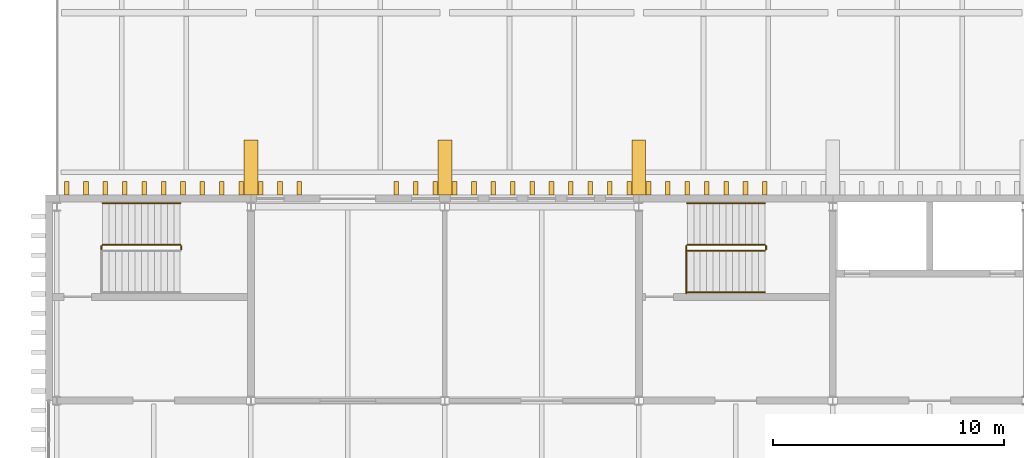
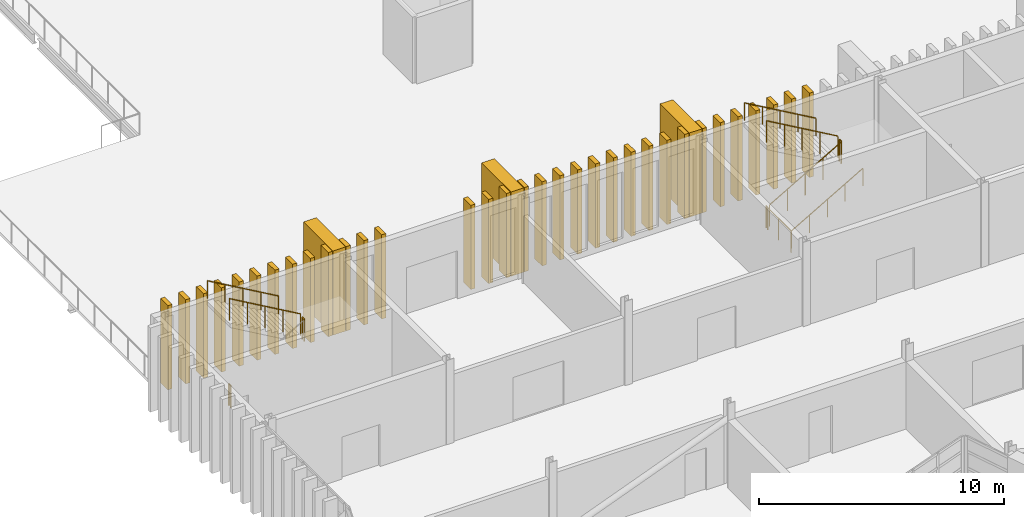
# One storey, part 79 of 96: 36 coverings, 11 railings.
"""IFC4 building model written with IfcOpenShell, lengths in metres."""

from ifc_helpers import new_model, si_unit, direction, frame, origin, origin_2d, place, context, subcontext, project, spatial, rectangle, circle, extrude, material, type_object, element, save


model = new_model("IFC4")

# Units and contexts
model_context = context("Model", 3, precision=1e-05, world=origin(), true_north=direction((0.0, 1.0)))
body_context = subcontext(model_context, "Body", "Model", "MODEL_VIEW")
ifc_project = project(units=[si_unit("LENGTHUNIT", "METRE"), si_unit("AREAUNIT", "SQUARE_METRE"), si_unit("VOLUMEUNIT", "CUBIC_METRE"), si_unit("PLANEANGLEUNIT", "RADIAN"), si_unit("MASSUNIT", "GRAM", prefix="KILO")], contexts=[model_context])

# Site, building, storey
site_placement = place(None, origin())
site = spatial("IfcSite", under=ifc_project, at=site_placement, CompositionType="ELEMENT")
building_placement = place(site_placement, origin())
building = spatial("IfcBuilding", under=site, at=building_placement, Name="Cresset Court Congress Hotel", CompositionType="ELEMENT")
storey_placement = place(building_placement, frame((0.0, 0.0, 6.0)))
storey = spatial("IfcBuildingStorey", under=building, at=storey_placement, Name="L01", CompositionType="ELEMENT", Elevation=6.0)

# Railings
ifc_material_1 = material(Name="Steel and laminated glass", Category="steel")
railing_type_1 = type_object("IfcRailingType", Name="Guard 1100 steel and glass", PredefinedType="GUARDRAIL", material=ifc_material_1)
railing_1_placement = place(storey_placement, frame((13.7900390625, 23.35009765625, 2.10009765625)))
element("IfcRailing", 1, at=railing_1_placement, inside=storey, type_object=railing_type_1, Name="L01 ST-B1 stair guard 2", PredefinedType="GUARDRAIL", context=body_context, shape_type="SweptSolid", body=[
    extrude(circle(Radius=0.02392578125, at=origin_2d()), frame((0.0, 0.0, 1.076171875), z_axis=(0.0, 1.0, 0.0), x_axis=(-1.0, 0.0, 0.0)), (0.0, 0.0, 1.0), 0.14990234375),
    extrude(circle(Radius=0.02099609375, at=origin_2d()), origin(), (0.0, 0.0, 1.0), 1.052001953125),
    extrude(circle(Radius=0.02099609375, at=origin_2d()), frame((0.0, 0.14990234375, 0.0)), (0.0, 0.0, 1.0), 1.052001953125),
])
railing_2_placement = place(storey_placement, frame((13.739990234375, 23.550048828125, 2.261474609375)))
element("IfcRailing", 2, at=railing_2_placement, inside=storey, type_object=railing_type_1, Name="L01 ST-B1 stair guard 3", PredefinedType="GUARDRAIL", context=body_context, shape_type="SweptSolid", body=[
    extrude(circle(Radius=0.02392578125, at=origin_2d()), frame((0.0, 0.0, 1.076171875), z_axis=(-0.866190824863, 0.0, 0.499713372768), x_axis=(0.0, -1.0, 0.0)), (0.0, 0.0, 1.0), 3.879150390625),
    extrude(circle(Radius=0.02099609375, at=origin_2d()), origin(), (0.0, 0.0, 1.0), 1.052001953125),
    extrude(circle(Radius=0.02099609375, at=origin_2d()), frame((-0.840087890625, 0.0, 0.484619140625)), (0.0, 0.0, 1.0), 1.052001953125),
    extrude(circle(Radius=0.02099609375, at=origin_2d()), frame((-1.68017578125, 0.0, 0.96923828125)), (0.0, 0.0, 1.0), 1.052001953125),
    extrude(circle(Radius=0.02099609375, at=origin_2d()), frame((-2.52001953125, 0.0, 1.453857421875)), (0.0, 0.0, 1.0), 1.052001953125),
    extrude(circle(Radius=0.02099609375, at=origin_2d()), frame((-3.360107421875, 0.0, 1.9384765625)), (0.0, 0.0, 1.0), 1.052001953125),
])
railing_3_placement = place(storey_placement, frame((10.330078125, 23.35009765625, 0.0)))
element("IfcRailing", 3, at=railing_3_placement, inside=storey, type_object=railing_type_1, Name="L01 ST-B1 stair guard 4", PredefinedType="GUARDRAIL", context=body_context, shape_type="SweptSolid", body=[
    extrude(circle(Radius=0.02392578125, at=origin_2d()), frame((0.0, 0.0, 1.076171875), z_axis=(0.0, 1.0, 0.0), x_axis=(-1.0, 0.0, 0.0)), (0.0, 0.0, 1.0), 0.14990234375),
    extrude(circle(Radius=0.02099609375, at=origin_2d()), origin(), (0.0, 0.0, 1.0), 1.052001953125),
    extrude(circle(Radius=0.02099609375, at=origin_2d()), frame((0.0, 0.14990234375, 0.0)), (0.0, 0.0, 1.0), 1.052001953125),
])
railing_4_placement = place(storey_placement, frame((35.699951171875, 23.300048828125, 0.16162109375)))
element("IfcRailing", 4, at=railing_4_placement, inside=storey, type_object=railing_type_1, Name="L01 ST-B2 stair guard 1", PredefinedType="GUARDRAIL", context=body_context, shape_type="SweptSolid", body=[
    extrude(circle(Radius=0.02392578125, at=origin_2d()), frame((0.0, 0.0, 1.076171875), z_axis=(0.866190824863, 0.0, 0.499713372768), x_axis=(0.0, 1.0, 0.0)), (0.0, 0.0, 1.0), 3.879150390625),
    extrude(circle(Radius=0.02099609375, at=origin_2d()), origin(), (0.0, 0.0, 1.0), 1.052001953125),
    extrude(circle(Radius=0.02099609375, at=origin_2d()), frame((0.840087890625, 0.0, 0.484619140625)), (0.0, 0.0, 1.0), 1.052001953125),
    extrude(circle(Radius=0.02099609375, at=origin_2d()), frame((1.68017578125, 0.0, 0.96923828125)), (0.0, 0.0, 1.0), 1.052001953125),
    extrude(circle(Radius=0.02099609375, at=origin_2d()), frame((2.52001953125, 0.0, 1.453857421875)), (0.0, 0.0, 1.0), 1.052001953125),
    extrude(circle(Radius=0.02099609375, at=origin_2d()), frame((3.360107421875, 0.0, 1.9384765625)), (0.0, 0.0, 1.0), 1.052001953125),
])
railing_5_placement = place(storey_placement, frame((39.110107421875, 23.35009765625, 2.10009765625)))
element("IfcRailing", 5, at=railing_5_placement, inside=storey, type_object=railing_type_1, Name="L01 ST-B2 stair guard 2", PredefinedType="GUARDRAIL", context=body_context, shape_type="SweptSolid", body=[
    extrude(circle(Radius=0.02392578125, at=origin_2d()), frame((0.0, 0.0, 1.076171875), z_axis=(0.0, 1.0, 0.0), x_axis=(-1.0, 0.0, 0.0)), (0.0, 0.0, 1.0), 0.14990234375),
    extrude(circle(Radius=0.02099609375, at=origin_2d()), origin(), (0.0, 0.0, 1.0), 1.052001953125),
    extrude(circle(Radius=0.02099609375, at=origin_2d()), frame((0.0, 0.14990234375, 0.0)), (0.0, 0.0, 1.0), 1.052001953125),
])
railing_6_placement = place(storey_placement, frame((39.06005859375, 23.550048828125, 2.261474609375)))
element("IfcRailing", 6, at=railing_6_placement, inside=storey, type_object=railing_type_1, Name="L01 ST-B2 stair guard 3", PredefinedType="GUARDRAIL", context=body_context, shape_type="SweptSolid", body=[
    extrude(circle(Radius=0.02392578125, at=origin_2d()), frame((0.0, 0.0, 1.076171875), z_axis=(-0.866190824863, 0.0, 0.499713372768), x_axis=(0.0, -1.0, 0.0)), (0.0, 0.0, 1.0), 3.879150390625),
    extrude(circle(Radius=0.02099609375, at=origin_2d()), origin(), (0.0, 0.0, 1.0), 1.052001953125),
    extrude(circle(Radius=0.02099609375, at=origin_2d()), frame((-0.840087890625, 0.0, 0.484619140625)), (0.0, 0.0, 1.0), 1.052001953125),
    extrude(circle(Radius=0.02099609375, at=origin_2d()), frame((-1.68017578125, 0.0, 0.96923828125)), (0.0, 0.0, 1.0), 1.052001953125),
    extrude(circle(Radius=0.02099609375, at=origin_2d()), frame((-2.52001953125, 0.0, 1.453857421875)), (0.0, 0.0, 1.0), 1.052001953125),
    extrude(circle(Radius=0.02099609375, at=origin_2d()), frame((-3.360107421875, 0.0, 1.9384765625)), (0.0, 0.0, 1.0), 1.052001953125),
])
railing_7_placement = place(storey_placement, frame((35.64990234375, 23.35009765625, 0.0)))
element("IfcRailing", 7, at=railing_7_placement, inside=storey, type_object=railing_type_1, Name="L01 ST-B2 stair guard 4", PredefinedType="GUARDRAIL", context=body_context, shape_type="SweptSolid", body=[
    extrude(circle(Radius=0.02392578125, at=origin_2d()), frame((0.0, 0.0, 1.076171875), z_axis=(0.0, 1.0, 0.0), x_axis=(-1.0, 0.0, 0.0)), (0.0, 0.0, 1.0), 0.14990234375),
    extrude(circle(Radius=0.02099609375, at=origin_2d()), origin(), (0.0, 0.0, 1.0), 1.052001953125),
    extrude(circle(Radius=0.02099609375, at=origin_2d()), frame((0.0, 0.14990234375, 0.0)), (0.0, 0.0, 1.0), 1.052001953125),
])
railing_8_placement = place(storey_placement, frame((35.64990234375, 21.449951171875, 0.0)))
element("IfcRailing", 8, at=railing_8_placement, inside=storey, type_object=railing_type_1, Name="L01 ST-B2 stair guard 5", PredefinedType="GUARDRAIL", context=body_context, shape_type="SweptSolid", body=[
    extrude(circle(Radius=0.02392578125, at=origin_2d()), frame((0.0, 0.0, 1.076171875), z_axis=(0.0, 1.0, 0.0), x_axis=(-1.0, 0.0, 0.0)), (0.0, 0.0, 1.0), 2.050048828125),
    extrude(circle(Radius=0.02099609375, at=origin_2d()), origin(), (0.0, 0.0, 1.0), 1.052001953125),
    extrude(circle(Radius=0.02099609375, at=origin_2d()), frame((0.0, 1.02490234375, 0.0)), (0.0, 0.0, 1.0), 1.052001953125),
    extrude(circle(Radius=0.02099609375, at=origin_2d()), frame((0.0, 2.050048828125, 0.0)), (0.0, 0.0, 1.0), 1.052001953125),
])
ifc_material_2 = material(Name="Stainless steel", Category="steel")
railing_type_2 = type_object("IfcRailingType", Name="Handrail 48 stainless", PredefinedType="HANDRAIL", material=ifc_material_2)
railing_9_placement = place(storey_placement, frame((13.739990234375, 25.35009765625, 2.261474609375)))
element("IfcRailing", 9, at=railing_9_placement, inside=storey, type_object=railing_type_2, Name="L01 ST-B1 stair handrail 2", PredefinedType="HANDRAIL", context=body_context, shape_type="SweptSolid", body=[
    extrude(circle(Radius=0.02392578125, at=origin_2d()), frame((0.0, 0.0, 0.8759765625), z_axis=(-0.866190824863, 0.0, 0.499713372768), x_axis=(0.0, -1.0, 0.0)), (0.0, 0.0, 1.0), 3.879150390625),
    extrude(circle(Radius=0.02099609375, at=origin_2d()), origin(), (0.0, 0.0, 1.0), 0.851806640625),
    extrude(circle(Radius=0.02099609375, at=origin_2d()), frame((-0.840087890625, 0.0, 0.484619140625)), (0.0, 0.0, 1.0), 0.851806640625),
    extrude(circle(Radius=0.02099609375, at=origin_2d()), frame((-1.68017578125, 0.0, 0.96923828125)), (0.0, 0.0, 1.0), 0.851806640625),
    extrude(circle(Radius=0.02099609375, at=origin_2d()), frame((-2.52001953125, 0.0, 1.453857421875)), (0.0, 0.0, 1.0), 0.851806640625),
    extrude(circle(Radius=0.02099609375, at=origin_2d()), frame((-3.360107421875, 0.0, 1.9384765625)), (0.0, 0.0, 1.0), 0.851806640625),
])
railing_10_placement = place(storey_placement, frame((35.699951171875, 21.5, 0.16162109375)))
element("IfcRailing", 10, at=railing_10_placement, inside=storey, type_object=railing_type_2, Name="L01 ST-B2 stair handrail 1", PredefinedType="HANDRAIL", context=body_context, shape_type="SweptSolid", body=[
    extrude(circle(Radius=0.02392578125, at=origin_2d()), frame((0.0, 0.0, 0.8759765625), z_axis=(0.866190824863, 0.0, 0.499713372768), x_axis=(0.0, 1.0, 0.0)), (0.0, 0.0, 1.0), 3.879150390625),
    extrude(circle(Radius=0.02099609375, at=origin_2d()), origin(), (0.0, 0.0, 1.0), 0.851806640625),
    extrude(circle(Radius=0.02099609375, at=origin_2d()), frame((0.840087890625, 0.0, 0.484619140625)), (0.0, 0.0, 1.0), 0.851806640625),
    extrude(circle(Radius=0.02099609375, at=origin_2d()), frame((1.68017578125, 0.0, 0.96923828125)), (0.0, 0.0, 1.0), 0.851806640625),
    extrude(circle(Radius=0.02099609375, at=origin_2d()), frame((2.52001953125, 0.0, 1.453857421875)), (0.0, 0.0, 1.0), 0.851806640625),
    extrude(circle(Radius=0.02099609375, at=origin_2d()), frame((3.360107421875, 0.0, 1.9384765625)), (0.0, 0.0, 1.0), 0.851806640625),
])
railing_11_placement = place(storey_placement, frame((39.06005859375, 25.35009765625, 2.261474609375)))
element("IfcRailing", 11, at=railing_11_placement, inside=storey, type_object=railing_type_2, Name="L01 ST-B2 stair handrail 2", PredefinedType="HANDRAIL", context=body_context, shape_type="SweptSolid", body=[
    extrude(circle(Radius=0.02392578125, at=origin_2d()), frame((0.0, 0.0, 0.8759765625), z_axis=(-0.866190824863, 0.0, 0.499713372768), x_axis=(0.0, -1.0, 0.0)), (0.0, 0.0, 1.0), 3.879150390625),
    extrude(circle(Radius=0.02099609375, at=origin_2d()), origin(), (0.0, 0.0, 1.0), 0.851806640625),
    extrude(circle(Radius=0.02099609375, at=origin_2d()), frame((-0.840087890625, 0.0, 0.484619140625)), (0.0, 0.0, 1.0), 0.851806640625),
    extrude(circle(Radius=0.02099609375, at=origin_2d()), frame((-1.68017578125, 0.0, 0.96923828125)), (0.0, 0.0, 1.0), 0.851806640625),
    extrude(circle(Radius=0.02099609375, at=origin_2d()), frame((-2.52001953125, 0.0, 1.453857421875)), (0.0, 0.0, 1.0), 0.851806640625),
    extrude(circle(Radius=0.02099609375, at=origin_2d()), frame((-3.360107421875, 0.0, 1.9384765625)), (0.0, 0.0, 1.0), 0.851806640625),
])

# Coverings
ifc_material_3 = material(Name="Precast concrete C50", Category="concrete")
covering_type_1 = type_object("IfcCoveringType", Name="Precast stone fin 200x600 variant 1", PredefinedType="CLADDING", material=ifc_material_3)
for number, where, z_axis, x_axis, name in (
    (12, (8.820068359375, 26.0, 0.0), (0.0, 0.0, 1.0), (1.0, 0.0, 0.0), "Fin N01-000"),
    (13, (9.659912109375, 26.0, 0.0), (0.0, 0.0, 1.0), (1.0, 0.0, 0.0), "Fin N01-001"),
    (14, (10.5, 26.0, 0.0), (0.0, 0.0, 1.0), (1.0, 0.0, 0.0), "Fin N01-002"),
    (15, (11.340087890625, 26.0, 0.0), (0.0, 0.0, 1.0), (1.0, 0.0, 0.0), "Fin N01-003"),
    (16, (12.179931640625, 26.0, 0.0), (0.0, 0.0, 1.0), (1.0, 0.0, 0.0), "Fin N01-004"),
    (17, (13.02001953125, 26.0, 0.0), (0.0, 0.0, 1.0), (1.0, 0.0, 0.0), "Fin N01-005"),
    (18, (13.860107421875, 26.0, 0.0), (0.0, 0.0, 1.0), (1.0, 0.0, 0.0), "Fin N01-006"),
    (19, (14.699951171875, 26.0, 0.0), (0.0, 0.0, 1.0), (1.0, 0.0, 0.0), "Fin N01-007"),
    (20, (15.5400390625, 26.0, 0.0), (0.0, 0.0, 1.0), (1.0, 0.0, 0.0), "Fin N01-008"),
    (21, (16.3798828125, 26.0, 0.0), (0.0, 0.0, 1.0), (1.0, 0.0, 0.0), "Fin N01-009"),
    (22, (17.219970703125, 26.0, 0.0), (0.0, 0.0, 1.0), (1.0, 0.0, 0.0), "Fin N01-010"),
    (23, (18.06005859375, 26.0, 0.0), (0.0, 0.0, 1.0), (1.0, 0.0, 0.0), "Fin N01-011"),
    (24, (18.89990234375, 26.0, 0.0), (0.0, 0.0, 1.0), (1.0, 0.0, 0.0), "Fin N01-012"),
    (25, (23.10009765625, 26.0, 0.0), (0.0, 0.0, 1.0), (1.0, 0.0, 0.0), "Fin N01-017"),
    (26, (23.93994140625, 26.0, 0.0), (0.0, 0.0, 1.0), (1.0, 0.0, 0.0), "Fin N01-018"),
    (27, (24.780029296875, 26.0, 0.0), (0.0, 0.0, 1.0), (1.0, 0.0, 0.0), "Fin N01-019"),
    (28, (25.6201171875, 26.0, 0.0), (0.0, 0.0, 1.0), (1.0, 0.0, 0.0), "Fin N01-020"),
    (29, (26.4599609375, 26.0, 0.0), (0.0, 0.0, 1.0), (1.0, 0.0, 0.0), "Fin N01-021"),
    (30, (27.300048828125, 26.0, 0.0), (0.0, 0.0, 1.0), (1.0, 0.0, 0.0), "Fin N01-022"),
    (31, (28.139892578125, 26.0, 0.0), (0.0, 0.0, 1.0), (1.0, 0.0, 0.0), "Fin N01-023"),
    (32, (28.97998046875, 26.0, 0.0), (0.0, 0.0, 1.0), (1.0, 0.0, 0.0), "Fin N01-024"),
    (33, (29.820068359375, 26.0, 0.0), (0.0, 0.0, 1.0), (1.0, 0.0, 0.0), "Fin N01-025"),
    (34, (30.659912109375, 26.0, 0.0), (0.0, 0.0, 1.0), (1.0, 0.0, 0.0), "Fin N01-026"),
    (35, (31.5, 26.0, 0.0), (0.0, 0.0, 1.0), (1.0, 0.0, 0.0), "Fin N01-027"),
    (36, (32.340087890625, 26.0, 0.0), (0.0, 0.0, 1.0), (1.0, 0.0, 0.0), "Fin N01-028"),
    (37, (33.179931640625, 26.0, 0.0), (0.0, 0.0, 1.0), (1.0, 0.0, 0.0), "Fin N01-029"),
    (38, (34.02001953125, 26.0, 0.0), (0.0, 0.0, 1.0), (1.0, 0.0, 0.0), "Fin N01-030"),
    (39, (34.860107421875, 26.0, 0.0), (0.0, 0.0, 1.0), (1.0, 0.0, 0.0), "Fin N01-031"),
    (40, (35.699951171875, 26.0, 0.0), (0.0, 0.0, 1.0), (1.0, 0.0, 0.0), "Fin N01-032"),
    (41, (36.5400390625, 26.0, 0.0), (0.0, 0.0, 1.0), (1.0, 0.0, 0.0), "Fin N01-033"),
    (42, (37.3798828125, 26.0, 0.0), (0.0, 0.0, 1.0), (1.0, 0.0, 0.0), "Fin N01-034"),
    (43, (38.219970703125, 26.0, 0.0), (0.0, 0.0, 1.0), (1.0, 0.0, 0.0), "Fin N01-035"),
    (44, (39.06005859375, 26.0, 0.0), (0.0, 0.0, 1.0), (1.0, 0.0, 0.0), "Fin N01-036"),
):
    element("IfcCovering", number, at=place(storey_placement, frame(where, z_axis=z_axis, x_axis=x_axis)), inside=storey, type_object=covering_type_1, Name=name, PredefinedType="CLADDING", context=body_context, shape_type="SweptSolid", body=[
        extrude(rectangle(XDim=0.199951171875, YDim=0.60009765625, at=origin_2d()), origin(), (0.0, 0.0, 1.0), 4.199951171875),
    ])
ifc_material_4 = material(Name="Precast concrete C50", Category="concrete")
covering_type_2 = type_object("IfcCoveringType", Name="Precast stone pier 600x2400", PredefinedType="CLADDING", material=ifc_material_4)
for number, where, z_axis, x_axis, name in (
    (45, (16.800048828125, 26.89990234375, 0.0), (0.0, 0.0, 1.0), (1.0, 0.0, 0.0), "Pier N01-01"),
    (46, (25.199951171875, 26.89990234375, 0.0), (0.0, 0.0, 1.0), (1.0, 0.0, 0.0), "Pier N01-02"),
    (47, (33.60009765625, 26.89990234375, 0.0), (0.0, 0.0, 1.0), (1.0, 0.0, 0.0), "Pier N01-03"),
):
    element("IfcCovering", number, at=place(storey_placement, frame(where, z_axis=z_axis, x_axis=x_axis)), inside=storey, type_object=covering_type_2, Name=name, PredefinedType="CLADDING", context=body_context, shape_type="SweptSolid", body=[
        extrude(rectangle(XDim=0.60009765625, YDim=2.39990234375, at=origin_2d()), origin(), (0.0, 0.0, 1.0), 4.199951171875),
    ])

save(model, "model.ifc")
